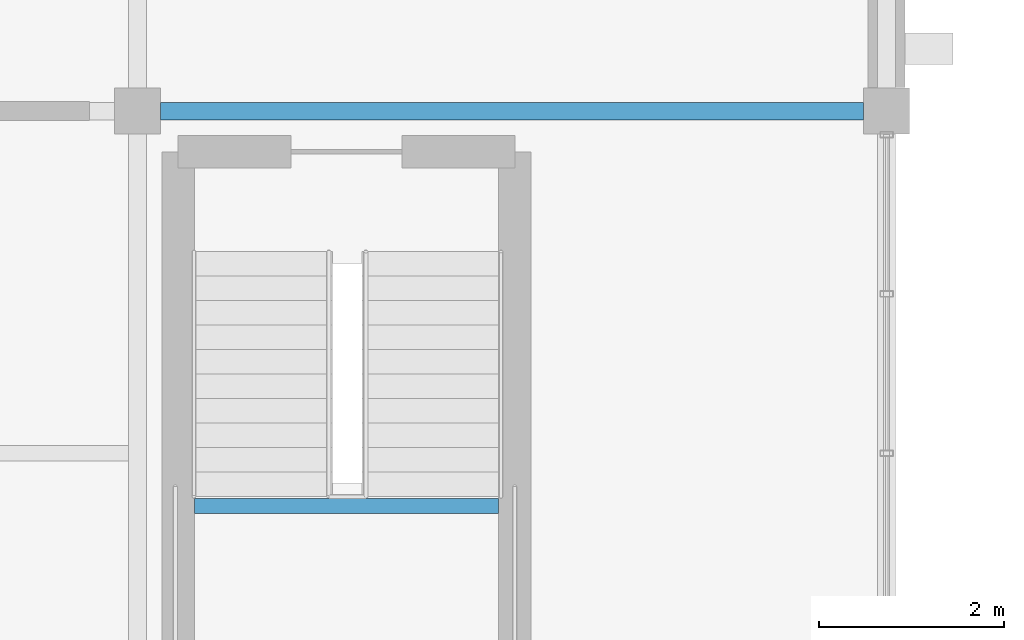
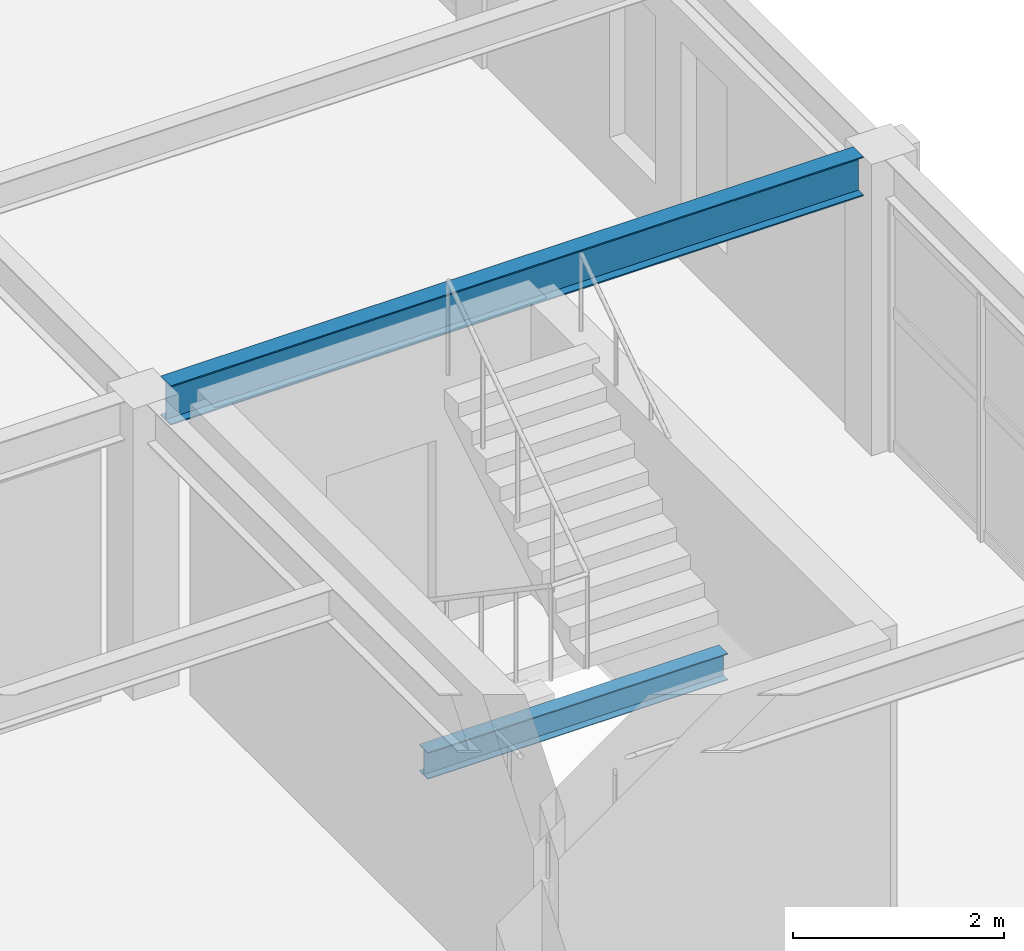
# One storey, part 43 of 93: 2 beams.
"""IFC4 building model written with IfcOpenShell, lengths in metres."""

from ifc_helpers import new_model, si_unit, direction, frame, origin, origin_2d, place, context, subcontext, project, spatial, i_section, extrude, material, material_profile, profile_set, type_object, element, save


model = new_model("IFC4")

# Units and contexts
model_context = context("Model", 3, precision=1e-05, world=origin(), true_north=direction((0.0, 1.0)))
body_context = subcontext(model_context, "Body", "Model", "MODEL_VIEW")
ifc_project = project(units=[si_unit("LENGTHUNIT", "METRE"), si_unit("AREAUNIT", "SQUARE_METRE"), si_unit("VOLUMEUNIT", "CUBIC_METRE"), si_unit("PLANEANGLEUNIT", "RADIAN"), si_unit("MASSUNIT", "GRAM", prefix="KILO")], contexts=[model_context])

# Site, building, storey
site_placement = place(None, origin())
site = spatial("IfcSite", under=ifc_project, at=site_placement, CompositionType="ELEMENT")
building_placement = place(site_placement, origin())
building = spatial("IfcBuilding", under=site, at=building_placement, Name="Cimatlan Art Gallery", CompositionType="ELEMENT")
storey_placement = place(building_placement, frame((0.0, 0.0, 13.800048828125)))
storey = spatial("IfcBuildingStorey", under=building, at=storey_placement, Name="L03", CompositionType="ELEMENT", Elevation=13.800048828125)

# Beams
ifc_material = material(Name="Steel ASTM A992 Grade 50", Category="steel")
ifc_material_profile_1 = material_profile(ifc_material, i_section(OverallWidth=0.1650390625, OverallDepth=0.31005859375, WebThickness=0.005859375, FlangeThickness=0.009765625, at=origin_2d()), Name="W12X26")
ifc_profile_set_1 = profile_set([ifc_material_profile_1], Name="Steel ASTM A992 Grade 50")
beam_type_1 = type_object("IfcBeamType", Name="BM-STL-W12X26", PredefinedType="JOIST", material=ifc_profile_set_1)
beam_1_placement = place(storey_placement, frame((124.114990234375, 49.22998046875, 1.425048828125), z_axis=(1.0, 0.0, 0.0), x_axis=(0.0, 1.0, 0.0)))
element("IfcBeam", 1, at=beam_1_placement, inside=storey, type_object=beam_type_1, Name="BM-STR-C9-L03-LH2", PredefinedType="JOIST", context=body_context, shape_type="SweptSolid", body=[
    extrude(i_section(OverallWidth=0.1650390625, OverallDepth=0.31005859375, WebThickness=0.005859375, FlangeThickness=0.009765625, at=origin_2d()), origin(), (0.0, 0.0, 1.0), 3.2900390625),
])
ifc_material_profile_2 = material_profile(ifc_material, i_section(OverallWidth=0.19091796875, OverallDepth=0.45703125, WebThickness=0.009033203125, FlangeThickness=0.014404296875, at=origin_2d()), Name="W18X50")
ifc_profile_set_2 = profile_set([ifc_material_profile_2], Name="Steel ASTM A992 Grade 50")
beam_type_2 = type_object("IfcBeamType", Name="BM-STL-W18X50", PredefinedType="BEAM", material=ifc_profile_set_2)
beam_2_placement = place(storey_placement, frame((123.75, 53.5, 3.1513671875), z_axis=(1.0, 0.0, 0.0), x_axis=(0.0, 1.0, 0.0)))
element("IfcBeam", 2, at=beam_2_placement, inside=storey, type_object=beam_type_2, Name="BM-X-L03-15-07", PredefinedType="BEAM", context=body_context, shape_type="SweptSolid", body=[
    extrude(i_section(OverallWidth=0.19091796875, OverallDepth=0.45703125, WebThickness=0.009033203125, FlangeThickness=0.014404296875, at=origin_2d()), origin(), (0.0, 0.0, 1.0), 7.60009765625),
])

save(model, "model.ifc")
